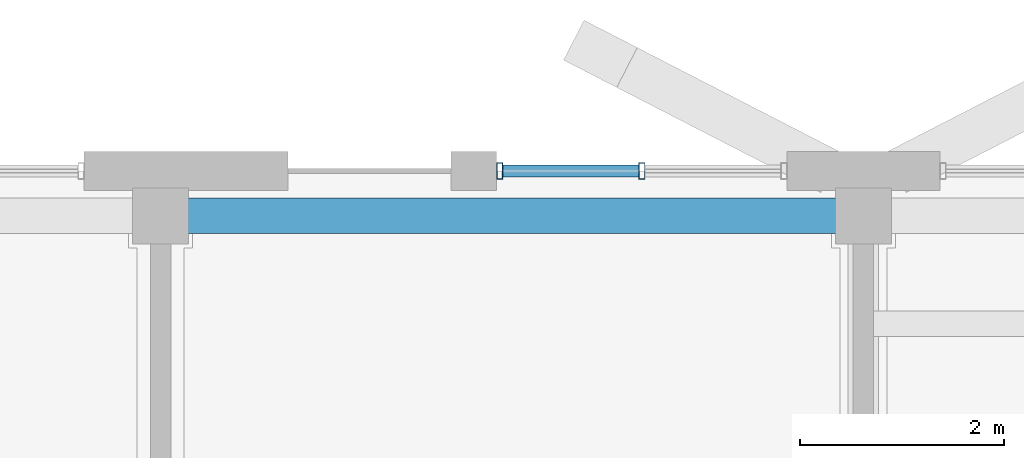
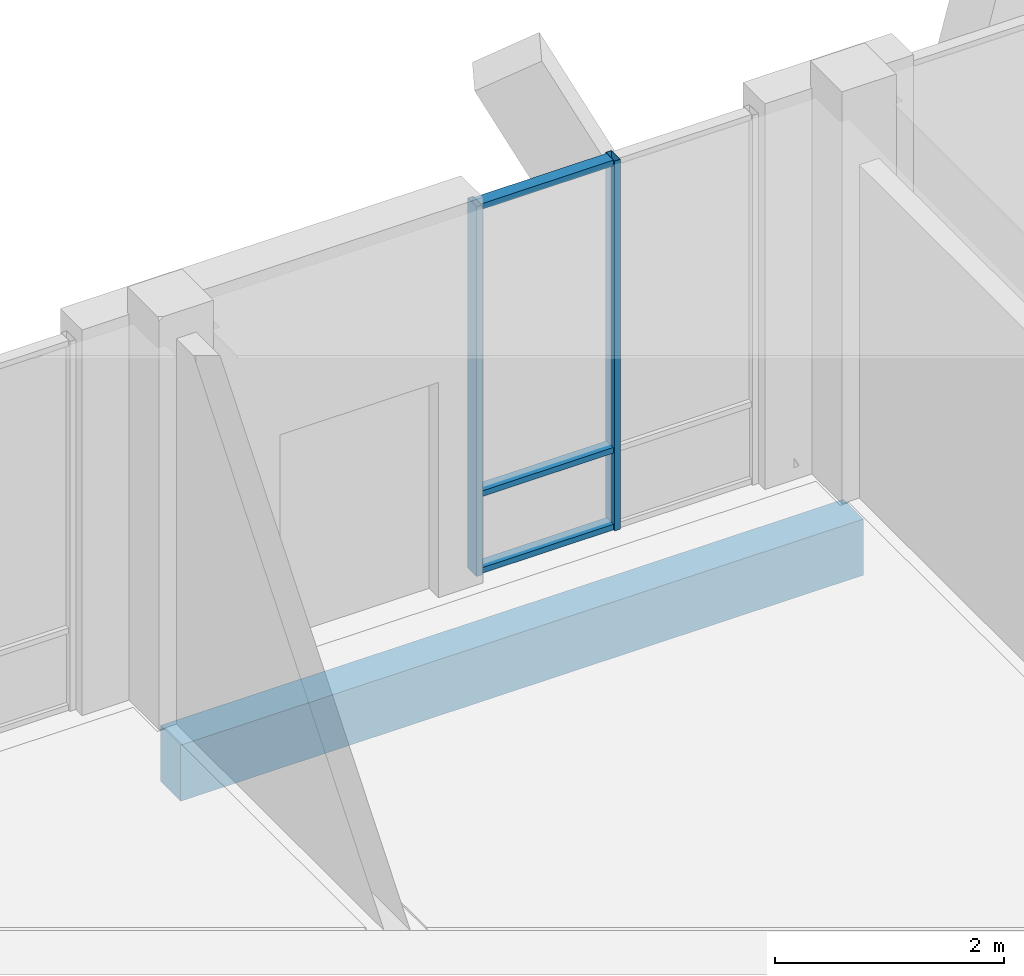
# One storey, part 171 of 233: 5 members, 1 beam, 1 element without a shape of its own.
"""IFC4 building model written with IfcOpenShell, lengths in metres."""

from ifc_helpers import new_model, si_unit, direction, frame, origin, origin_2d, place, context, subcontext, project, spatial, rectangle, hollow_rectangle, extrude, material, material_profile, profile_set, type_object, element, aggregate, save


model = new_model("IFC4")

# Units and contexts
model_context = context("Model", 3, precision=1e-05, world=origin(), true_north=direction((0.0, 1.0)))
body_context = subcontext(model_context, "Body", "Model", "MODEL_VIEW")
ifc_project = project(units=[si_unit("LENGTHUNIT", "METRE"), si_unit("AREAUNIT", "SQUARE_METRE"), si_unit("VOLUMEUNIT", "CUBIC_METRE"), si_unit("PLANEANGLEUNIT", "RADIAN"), si_unit("MASSUNIT", "GRAM", prefix="KILO")], contexts=[model_context])

# Site, building, storey
site_placement = place(None, origin())
site = spatial("IfcSite", under=ifc_project, at=site_placement, CompositionType="ELEMENT")
building_placement = place(site_placement, origin())
building = spatial("IfcBuilding", under=site, at=building_placement, Name="Zavelmont Quarter", CompositionType="ELEMENT")
storey_placement = place(building_placement, origin())
storey = spatial("IfcBuildingStorey", under=building, at=storey_placement, Name="L00", CompositionType="ELEMENT", Elevation=0.0)

# Beam
ifc_material_1 = material(Name="Concrete C35/45", Category="concrete")
ifc_material_profile_1 = material_profile(ifc_material_1, rectangle(XDim=0.35009765625, YDim=0.60009765625, at=origin_2d()), Name="RC350X600")
ifc_profile_set_1 = profile_set([ifc_material_profile_1], Name="Concrete C35/45")
beam_type = type_object("IfcBeamType", Name="BM01", PredefinedType="SPANDREL", material=ifc_profile_set_1)
beam_placement = place(storey_placement, frame((154.199951171875, 115.56005859375, -0.6201171875), z_axis=(1.0, 0.0, 0.0), x_axis=(0.0, 1.0, 0.0)))
element("IfcBeam", 1, at=beam_placement, inside=storey, type_object=beam_type, Name="L00 beam BM01 23/S to 24/S", PredefinedType="SPANDREL", context=body_context, shape_type="SweptSolid", body=[
    extrude(rectangle(XDim=0.35009765625, YDim=0.60009765625, at=origin_2d()), origin(), (0.0, 0.0, 1.0), 6.900146484375),
])

# Curtain wall, members
ifc_material_2 = material(Name="Thermally broken aluminium and double low-E safety glazing", Category="aluminium")
curtain_wall_type = type_object("IfcCurtainWallType", Name="CW-285X395", PredefinedType="NOTDEFINED", material=ifc_material_2)
curtain_wall_placement = place(storey_placement, origin())
curtain_wall = element("IfcCurtainWall", 2, at=curtain_wall_placement, inside=storey, type_object=curtain_wall_type, Name="L00 unitised curtain wall CW-285X395", PredefinedType="NOTDEFINED")
ifc_material_3 = material(Name="Powder-coated aluminium EN AW-6063-T6", Category="aluminium")
ifc_material_profile_2 = material_profile(ifc_material_3, hollow_rectangle(XDim=0.06005859375, YDim=0.159912109375, WallThickness=0.00390625, at=origin_2d()), Name="CWM60X160")
ifc_profile_set_2 = profile_set([ifc_material_profile_2], Name="Powder-coated aluminium EN AW-6063-T6")
member_type_1 = type_object("IfcMemberType", Name="CWM01", PredefinedType="MULLION", material=ifc_profile_set_2)
member_1_placement = place(storey_placement, frame((157.530029296875, 116.0, 0.0), z_axis=(0.0, 0.0, 1.0), x_axis=(1.0, 0.0, 0.0)))
member_1 = element("IfcMember", 3, at=member_1_placement, type_object=member_type_1, Name="CW-285X395 mullion 1", PredefinedType="MULLION", context=body_context, shape_type="SweptSolid", body=[
    extrude(hollow_rectangle(XDim=0.06005859375, YDim=0.159912109375, WallThickness=0.00390625, at=origin_2d()), origin(), (0.0, 0.0, 1.0), 3.949951171875),
])
member_2_placement = place(storey_placement, frame((158.925048828125, 116.0, 0.0), z_axis=(0.0, 0.0, 1.0), x_axis=(1.0, 0.0, 0.0)))
member_2 = element("IfcMember", 4, at=member_2_placement, type_object=member_type_1, Name="CW-285X395 mullion 2", PredefinedType="MULLION", context=body_context, shape_type="SweptSolid", body=[
    extrude(hollow_rectangle(XDim=0.06005859375, YDim=0.159912109375, WallThickness=0.00390625, at=origin_2d()), origin(), (0.0, 0.0, 1.0), 3.949951171875),
])
ifc_material_profile_3 = material_profile(ifc_material_3, hollow_rectangle(XDim=0.1201171875, YDim=0.06005859375, WallThickness=0.00390625, at=origin_2d()), Name="CWT60X120")
ifc_profile_set_3 = profile_set([ifc_material_profile_3], Name="Powder-coated aluminium EN AW-6063-T6")
member_type_2 = type_object("IfcMemberType", Name="CWT01", PredefinedType="NOTDEFINED", material=ifc_profile_set_3)
member_3_placement = place(storey_placement, frame((157.56005859375, 116.0, 0.030029296875), z_axis=(1.0, 0.0, 0.0), x_axis=(0.0, 1.0, 0.0)))
member_3 = element("IfcMember", 5, at=member_3_placement, type_object=member_type_2, Name="CW-285X395 transom 1.1", ObjectType="TRANSOM", PredefinedType="USERDEFINED", context=body_context, shape_type="SweptSolid", body=[
    extrude(hollow_rectangle(XDim=0.1201171875, YDim=0.06005859375, WallThickness=0.00390625, at=origin_2d()), origin(), (0.0, 0.0, 1.0), 1.3349609375),
])
member_4_placement = place(storey_placement, frame((157.56005859375, 116.0, 0.85009765625), z_axis=(1.0, 0.0, 0.0), x_axis=(0.0, 1.0, 0.0)))
member_4 = element("IfcMember", 6, at=member_4_placement, type_object=member_type_2, Name="CW-285X395 transom 1.2", ObjectType="TRANSOM", PredefinedType="USERDEFINED", context=body_context, shape_type="SweptSolid", body=[
    extrude(hollow_rectangle(XDim=0.1201171875, YDim=0.06005859375, WallThickness=0.00390625, at=origin_2d()), origin(), (0.0, 0.0, 1.0), 1.3349609375),
])
member_5_placement = place(storey_placement, frame((157.56005859375, 116.0, 3.919921875), z_axis=(1.0, 0.0, 0.0), x_axis=(0.0, 1.0, 0.0)))
member_5 = element("IfcMember", 7, at=member_5_placement, type_object=member_type_2, Name="CW-285X395 transom 1.3", ObjectType="TRANSOM", PredefinedType="USERDEFINED", context=body_context, shape_type="SweptSolid", body=[
    extrude(hollow_rectangle(XDim=0.1201171875, YDim=0.06005859375, WallThickness=0.00390625, at=origin_2d()), origin(), (0.0, 0.0, 1.0), 1.3349609375),
])
aggregate(curtain_wall, [member_1, member_2, member_3, member_4, member_5])

save(model, "model.ifc")
